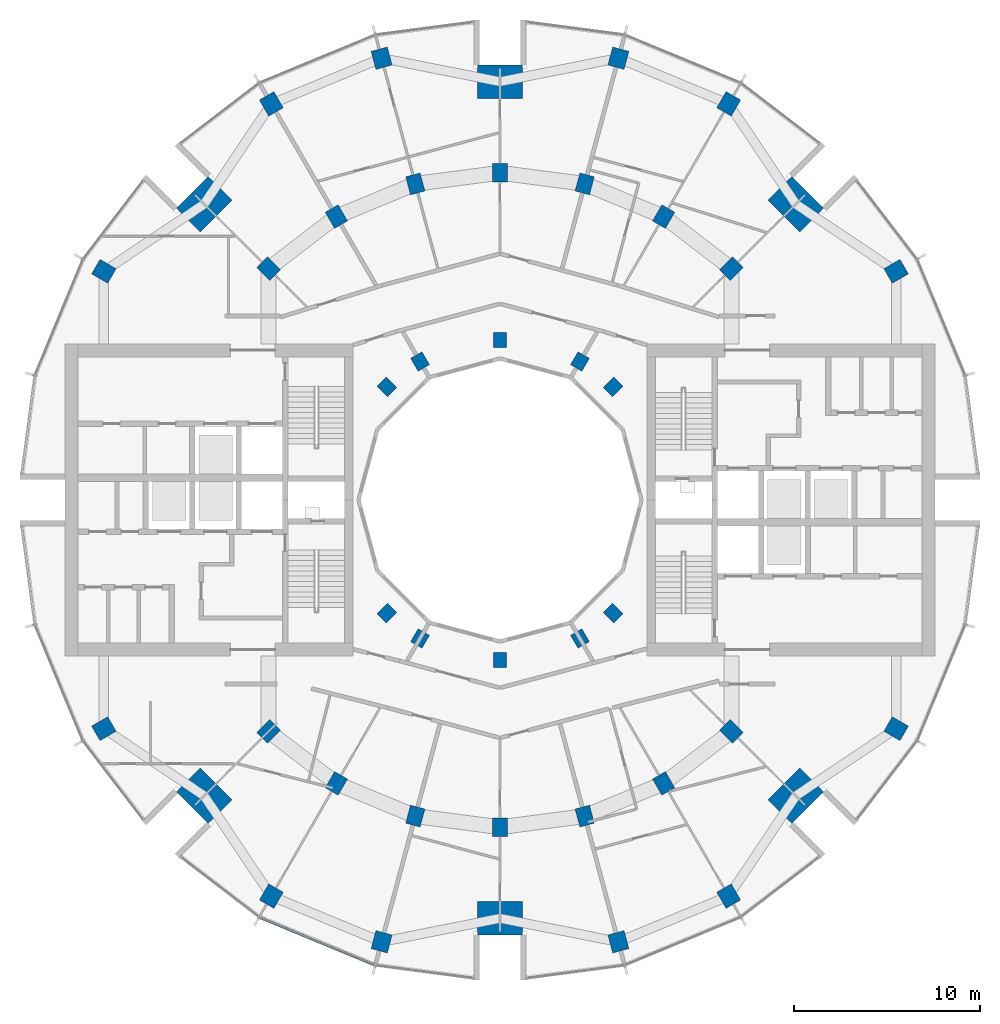
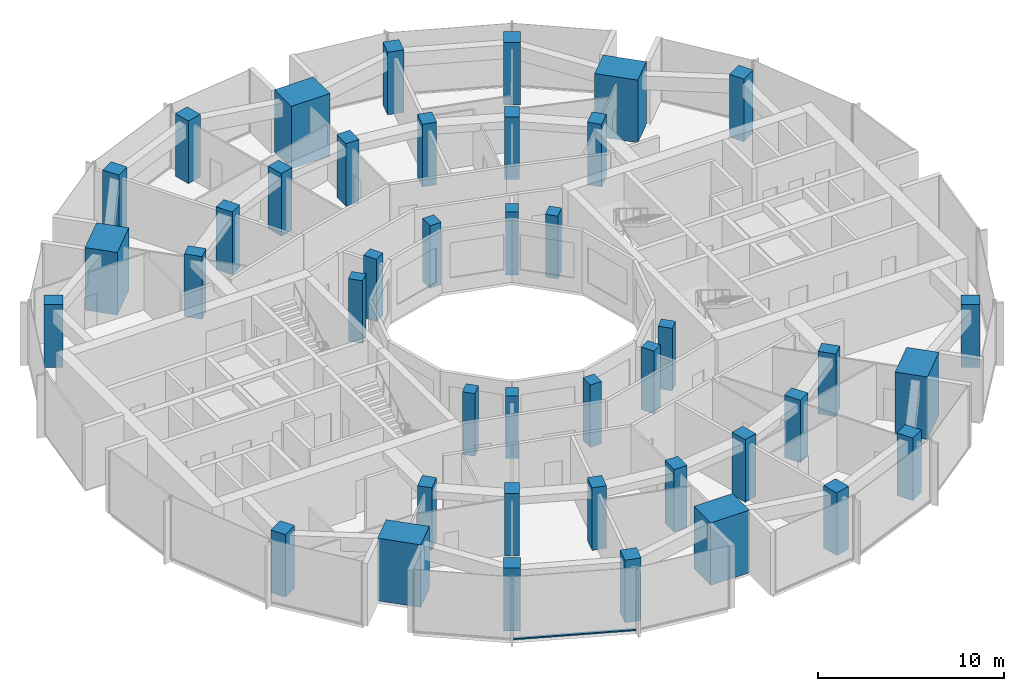
# One storey, part 1 of 15: 42 columns, 1 member, 1 element without a shape of its own.
"""IFC4 building model written with IfcOpenShell, lengths in metres."""

from ifc_helpers import new_model, si_unit, direction, frame, origin, origin_2d, place, context, subcontext, project, spatial, rectangle, extrude, material, layer, layer_set, material_profile, profile_set, type_object, element, aggregate, save


model = new_model("IFC4")

# Units and contexts
model_context = context("Model", 3, precision=1e-05, world=origin(), true_north=direction((0.0, 1.0)))
body_context = subcontext(model_context, "Body", "Model", "MODEL_VIEW")
ifc_project = project(units=[si_unit("LENGTHUNIT", "METRE"), si_unit("AREAUNIT", "SQUARE_METRE"), si_unit("VOLUMEUNIT", "CUBIC_METRE"), si_unit("PLANEANGLEUNIT", "RADIAN"), si_unit("MASSUNIT", "GRAM", prefix="KILO")], contexts=[model_context])

# Site, building, storey
site_placement = place(None, origin())
site = spatial("IfcSite", under=ifc_project, at=site_placement, CompositionType="ELEMENT")
building_placement = place(site_placement, origin())
building = spatial("IfcBuilding", under=site, at=building_placement, Name="Torre Brocal", CompositionType="ELEMENT")
storey_placement = place(building_placement, frame((0.0, 0.0, 178.199951171875)))
storey = spatial("IfcBuildingStorey", under=building, at=storey_placement, Name="L41", CompositionType="ELEMENT", Elevation=178.199951171875)

# Columns
ifc_material_1 = material(Name="Concrete C70", Category="concrete")
ifc_material_profile_1 = material_profile(ifc_material_1, rectangle(XDim=1.0, YDim=0.800048828125, at=origin_2d()), Name="RC 1000X800")
ifc_profile_set_1 = profile_set([ifc_material_profile_1], Name="Concrete C70")
column_type_1 = type_object("IfcColumnType", Name="RC COLUMN 1000X800 C70", PredefinedType="COLUMN", material=ifc_profile_set_1)
for number, where, z_axis, x_axis, name in (
    (1, (92.445068359375, 87.445068359375, 0.0), (0.0, 0.0, 1.0), (0.707106781187, 0.707106781187, 0.0), "Column C-M03"),
    (2, (88.800048828125, 90.241943359375, 0.0), (0.0, 0.0, 1.0), (0.5, 0.866025403784, 0.0), "Column C-M04"),
    (3, (84.55517578125, 92.000244140625, 0.0), (0.0, 0.0, 1.0), (0.258819045103, 0.965925826289, 0.0), "Column C-M05"),
    (4, (80.0, 92.60009765625, 0.0), (0.0, 0.0, 1.0), (0.0, 1.0, 0.0), "Column C-M06"),
    (5, (75.44482421875, 92.000244140625, 0.0), (0.0, 0.0, 1.0), (-0.258819045103, 0.965925826289, 0.0), "Column C-M07"),
    (6, (71.199951171875, 90.241943359375, 0.0), (0.0, 0.0, 1.0), (-0.5, 0.866025403784, 0.0), "Column C-M08"),
    (7, (67.554931640625, 87.445068359375, 0.0), (0.0, 0.0, 1.0), (-0.707106781187, 0.707106781187, 0.0), "Column C-M09"),
    (8, (67.554931640625, 62.554931640625, 0.0), (0.0, 0.0, 1.0), (-0.707106781187, -0.707106781187, 0.0), "Column C-M15"),
    (9, (71.199951171875, 59.758056640625, 0.0), (0.0, 0.0, 1.0), (-0.5, -0.866025403784, 0.0), "Column C-M16"),
    (10, (75.44482421875, 57.999755859375, 0.0), (0.0, 0.0, 1.0), (-0.258819045103, -0.965925826289, 0.0), "Column C-M17"),
    (11, (80.0, 57.39990234375, 0.0), (0.0, 0.0, 1.0), (0.0, -1.0, 0.0), "Column C-M18"),
    (12, (84.55517578125, 57.999755859375, 0.0), (0.0, 0.0, 1.0), (0.258819045103, -0.965925826289, 0.0), "Column C-M19"),
    (13, (88.800048828125, 59.758056640625, 0.0), (0.0, 0.0, 1.0), (0.5, -0.866025403784, 0.0), "Column C-M20"),
    (14, (92.445068359375, 62.554931640625, 0.0), (0.0, 0.0, 1.0), (0.707106781187, -0.707106781187, 0.0), "Column C-M21"),
):
    element("IfcColumn", number, at=place(storey_placement, frame(where, z_axis=z_axis, x_axis=x_axis)), inside=storey, type_object=column_type_1, Name=name, PredefinedType="COLUMN", context=body_context, shape_type="SweptSolid", body=[
        extrude(rectangle(XDim=1.0, YDim=0.800048828125, at=origin_2d()), origin(), (0.0, 0.0, 1.0), 4.10009765625),
    ])
ifc_material_2 = material(Name="Concrete C70", Category="concrete")
ifc_material_profile_2 = material_profile(ifc_material_2, rectangle(XDim=1.0, YDim=0.89990234375, at=origin_2d()), Name="RC 1000X900")
ifc_profile_set_2 = profile_set([ifc_material_profile_2], Name="Concrete C70")
column_type_2 = type_object("IfcColumnType", Name="RC COLUMN 1000X900 C70", PredefinedType="COLUMN", material=ifc_profile_set_2)
for number, where, z_axis, x_axis, name in (
    (15, (101.30419921875, 87.300048828125, 0.0), (0.0, 0.0, 1.0), (0.866025403784, 0.5, 0.0), "Column C-O02"),
    (16, (92.300048828125, 96.30419921875, 0.0), (0.0, 0.0, 1.0), (0.5, 0.866025403784, 0.0), "Column C-O04"),
    (17, (86.366943359375, 98.76171875, 0.0), (0.0, 0.0, 1.0), (0.258819045103, 0.965925826289, 0.0), "Column C-O05"),
    (18, (73.633056640625, 98.76171875, 0.0), (0.0, 0.0, 1.0), (-0.258819045103, 0.965925826289, 0.0), "Column C-O07"),
    (19, (67.699951171875, 96.30419921875, 0.0), (0.0, 0.0, 1.0), (-0.5, 0.866025403784, 0.0), "Column C-O08"),
    (20, (58.69580078125, 87.300048828125, 0.0), (0.0, 0.0, 1.0), (-0.866025403784, 0.5, 0.0), "Column C-O10"),
    (21, (58.69580078125, 62.699951171875, 0.0), (0.0, 0.0, 1.0), (-0.866025403784, -0.5, 0.0), "Column C-O14"),
    (22, (67.699951171875, 53.69580078125, 0.0), (0.0, 0.0, 1.0), (-0.5, -0.866025403784, 0.0), "Column C-O16"),
    (23, (73.633056640625, 51.23828125, 0.0), (0.0, 0.0, 1.0), (-0.258819045103, -0.965925826289, 0.0), "Column C-O17"),
    (24, (86.366943359375, 51.23828125, 0.0), (0.0, 0.0, 1.0), (0.258819045103, -0.965925826289, 0.0), "Column C-O19"),
    (25, (92.300048828125, 53.69580078125, 0.0), (0.0, 0.0, 1.0), (0.5, -0.866025403784, 0.0), "Column C-O20"),
    (26, (101.30419921875, 62.699951171875, 0.0), (0.0, 0.0, 1.0), (0.866025403784, -0.5, 0.0), "Column C-O22"),
):
    element("IfcColumn", number, at=place(storey_placement, frame(where, z_axis=z_axis, x_axis=x_axis)), inside=storey, type_object=column_type_2, Name=name, PredefinedType="COLUMN", context=body_context, shape_type="SweptSolid", body=[
        extrude(rectangle(XDim=1.0, YDim=0.89990234375, at=origin_2d()), origin(), (0.0, 0.0, 1.0), 4.10009765625),
    ])
ifc_material_3 = material(Name="Concrete C70", Category="concrete")
ifc_material_profile_3 = material_profile(ifc_material_3, rectangle(XDim=1.800048828125, YDim=2.39990234375, at=origin_2d()), Name="RC 1800X2400")
ifc_profile_set_3 = profile_set([ifc_material_profile_3], Name="Concrete C70")
column_type_3 = type_object("IfcColumnType", Name="RC COLUMN 1800X2400 C70", PredefinedType="COLUMN", material=ifc_profile_set_3)
for number, where, z_axis, x_axis, name in (
    (27, (95.909912109375, 90.909912109375, 0.0), (0.0, 0.0, 1.0), (0.707106781187, 0.707106781187, 0.0), "Column MC-1"),
    (28, (80.0, 97.5, 0.0), (0.0, 0.0, 1.0), (0.0, 1.0, 0.0), "Column MC-2"),
    (29, (64.090087890625, 90.909912109375, 0.0), (0.0, 0.0, 1.0), (-0.707106781187, 0.707106781187, 0.0), "Column MC-3"),
    (30, (64.090087890625, 59.090087890625, 0.0), (0.0, 0.0, 1.0), (-0.707106781187, -0.707106781187, 0.0), "Column MC-5"),
    (31, (80.0, 52.5, 0.0), (0.0, 0.0, 1.0), (0.0, -1.0, 0.0), "Column MC-6"),
    (32, (95.909912109375, 59.090087890625, 0.0), (0.0, 0.0, 1.0), (0.707106781187, -0.707106781187, 0.0), "Column MC-7"),
):
    element("IfcColumn", number, at=place(storey_placement, frame(where, z_axis=z_axis, x_axis=x_axis)), inside=storey, type_object=column_type_3, Name=name, PredefinedType="COLUMN", context=body_context, shape_type="SweptSolid", body=[
        extrude(rectangle(XDim=1.800048828125, YDim=2.39990234375, at=origin_2d()), origin(), (0.0, 0.0, 1.0), 4.10009765625),
    ])
ifc_material_4 = material(Name="Concrete C70", Category="concrete")
ifc_material_profile_4 = material_profile(ifc_material_4, rectangle(XDim=0.800048828125, YDim=0.699951171875, at=origin_2d()), Name="RC 800X700")
ifc_profile_set_4 = profile_set([ifc_material_profile_4], Name="Concrete C70")
column_type_4 = type_object("IfcColumnType", Name="RC COLUMN 800X700 C70", PredefinedType="COLUMN", material=ifc_profile_set_4)
for number, where, z_axis, x_axis, name in (
    (33, (86.0810546875, 81.0810546875, 0.0), (0.0, 0.0, 1.0), (0.707106781187, 0.707106781187, 0.0), "Column C-I03"),
    (34, (84.300048828125, 82.44775390625, 0.0), (0.0, 0.0, 1.0), (0.5, 0.866025403784, 0.0), "Column C-I04"),
    (35, (80.0, 83.60009765625, 0.0), (0.0, 0.0, 1.0), (0.0, 1.0, 0.0), "Column C-I06"),
    (36, (75.699951171875, 82.44775390625, 0.0), (0.0, 0.0, 1.0), (-0.5, 0.866025403784, 0.0), "Column C-I08"),
    (37, (73.9189453125, 81.0810546875, 0.0), (0.0, 0.0, 1.0), (-0.707106781187, 0.707106781187, 0.0), "Column C-I09"),
    (38, (73.9189453125, 68.9189453125, 0.0), (0.0, 0.0, 1.0), (-0.707106781187, -0.707106781187, 0.0), "Column C-I15"),
    (39, (75.699951171875, 67.55224609375, 0.0), (0.0, 0.0, 1.0), (-0.5, -0.866025403784, 0.0), "Column C-I16"),
    (40, (80.0, 66.39990234375, 0.0), (0.0, 0.0, 1.0), (0.0, -1.0, 0.0), "Column C-I18"),
    (41, (84.300048828125, 67.55224609375, 0.0), (0.0, 0.0, 1.0), (0.5, -0.866025403784, 0.0), "Column C-I20"),
    (42, (86.0810546875, 68.9189453125, 0.0), (0.0, 0.0, 1.0), (0.707106781187, -0.707106781187, 0.0), "Column C-I21"),
):
    element("IfcColumn", number, at=place(storey_placement, frame(where, z_axis=z_axis, x_axis=x_axis)), inside=storey, type_object=column_type_4, Name=name, PredefinedType="COLUMN", context=body_context, shape_type="SweptSolid", body=[
        extrude(rectangle(XDim=0.800048828125, YDim=0.699951171875, at=origin_2d()), origin(), (0.0, 0.0, 1.0), 4.10009765625),
    ])

# Curtain wall, member
ifc_material_5 = material(Name="Aluminium and glass", Category="aluminium")
ifc_layer = layer(ifc_material_5, 0.199951171875)
ifc_layer_set = layer_set([ifc_layer], Name="Aluminium and glass")
curtain_wall_type = type_object("IfcCurtainWallType", Name="CW-1 CURTAIN WALL 4100 HIGH", PredefinedType="NOTDEFINED", material=ifc_layer_set)
curtain_wall_placement = place(storey_placement, origin())
curtain_wall = element("IfcCurtainWall", 43, at=curtain_wall_placement, inside=storey, type_object=curtain_wall_type, Name="CW-1 RUN 17", PredefinedType="NOTDEFINED")
ifc_material_6 = material(Name="Aluminium, dark anodised", Category="aluminium")
ifc_material_profile_5 = material_profile(ifc_material_6, rectangle(XDim=0.159912109375, YDim=0.080078125, at=origin_2d()), Name="CW-1 TRANSOM 160X80")
ifc_profile_set_5 = profile_set([ifc_material_profile_5], Name="Aluminium, dark anodised")
member_type = type_object("IfcMemberType", Name="CW-1 TRANSOM 160X80", PredefinedType="USERDEFINED", material=ifc_profile_set_5)
member_placement = place(storey_placement, frame((67.10595703125, 52.547607421875, 0.0400390625), z_axis=(0.923887344364, -0.38266457234, 0.0), x_axis=(0.38266457234, 0.923887344364, 0.0)))
member = element("IfcMember", 44, at=member_placement, type_object=member_type, Name="CW1-4 transom 1.1", ObjectType="TRANSOM", PredefinedType="USERDEFINED", context=body_context, shape_type="SweptSolid", body=[
    extrude(rectangle(XDim=0.159912109375, YDim=0.080078125, at=origin_2d()), origin(), (0.0, 0.0, 1.0), 6.640869140625),
])
aggregate(curtain_wall, [member])

save(model, "model.ifc")
